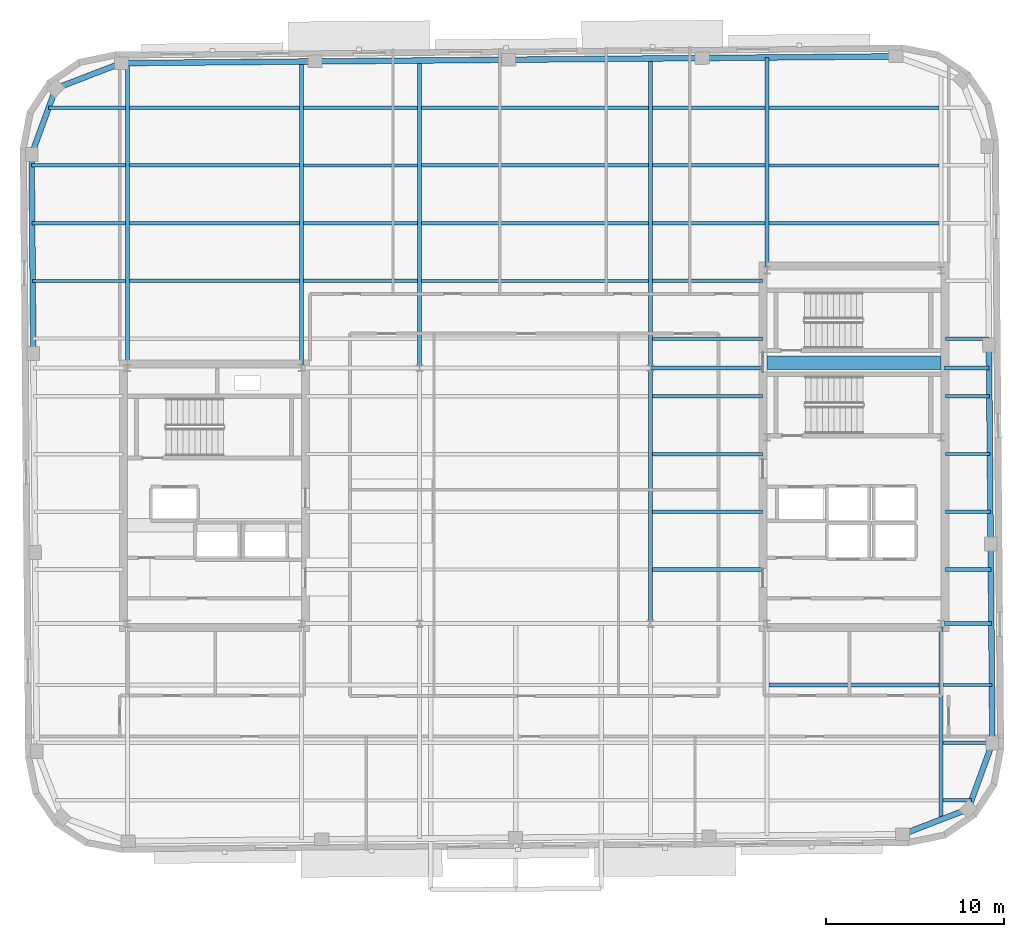
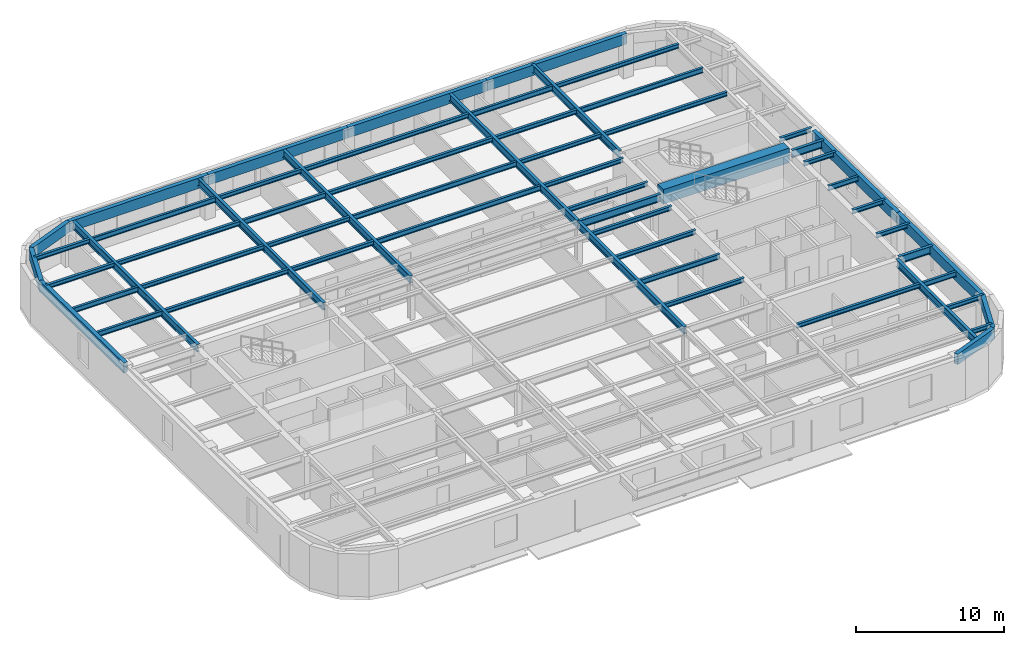
# One storey, part 5 of 14: 59 beams.
"""IFC4 building model written with IfcOpenShell, lengths in metres."""

from ifc_helpers import new_model, si_unit, direction, frame, origin, origin_2d, place, context, subcontext, project, spatial, rectangle, hollow_rectangle, i_section, extrude, material, material_profile, profile_set, type_object, element, save


model = new_model("IFC4")

# Units and contexts
model_context = context("Model", 3, precision=1e-05, world=origin(), true_north=direction((0.0, 1.0)))
body_context = subcontext(model_context, "Body", "Model", "MODEL_VIEW")
ifc_project = project(units=[si_unit("LENGTHUNIT", "METRE"), si_unit("AREAUNIT", "SQUARE_METRE"), si_unit("VOLUMEUNIT", "CUBIC_METRE"), si_unit("PLANEANGLEUNIT", "RADIAN"), si_unit("MASSUNIT", "GRAM", prefix="KILO")], contexts=[model_context])

# Site, building, storey
site_placement = place(None, origin())
site = spatial("IfcSite", under=ifc_project, at=site_placement, CompositionType="ELEMENT")
building_placement = place(site_placement, origin())
building = spatial("IfcBuilding", under=site, at=building_placement, Name="Kolvaren Arena Tower", CompositionType="ELEMENT")
storey_placement = place(building_placement, frame((0.0, 0.0, 308.64990234375)))
storey = spatial("IfcBuildingStorey", under=building, at=storey_placement, Name="L76", CompositionType="ELEMENT", Elevation=308.64990234375)

# Beams
ifc_material_1 = material(Name="Steel CSA G40.21 350W", Category="steel")
ifc_material_profile_1 = material_profile(ifc_material_1, i_section(OverallWidth=0.180908203125, OverallDepth=0.4169921875, WebThickness=0.010986328125, FlangeThickness=0.018310546875, FilletRadius=0.011962890625, at=origin_2d()), Name="W410x85")
ifc_profile_set_1 = profile_set([ifc_material_profile_1], Name="Steel CSA G40.21 350W")
beam_type_1 = type_object("IfcBeamType", Name="BEAM-F3", PredefinedType="BEAM", material=ifc_profile_set_1)
beam_1_placement = place(storey_placement, frame((60.464111328125, 16.0, 3.301513671875), z_axis=(1.0, 0.0, 0.0), x_axis=(0.0, 1.0, 0.0)))
element("IfcBeam", 1, at=beam_1_placement, inside=storey, type_object=beam_type_1, Name="Composite Floor Beam (L76)", PredefinedType="BEAM", context=body_context, shape_type="SweptSolid", body=[
    extrude(i_section(OverallWidth=0.180908203125, OverallDepth=0.4169921875, WebThickness=0.010986328125, FlangeThickness=0.018310546875, FilletRadius=0.011962890625, at=origin_2d()), origin(), (0.0, 0.0, 1.0), 2.7529296875),
])
beam_2_placement = place(storey_placement, frame((44.114013671875, 25.75, 3.301513671875), z_axis=(1.0, 0.0, 0.0), x_axis=(0.0, 1.0, 0.0)))
element("IfcBeam", 2, at=beam_2_placement, inside=storey, type_object=beam_type_1, Name="Composite Floor Beam (L76)", PredefinedType="BEAM", context=body_context, shape_type="SweptSolid", body=[
    extrude(i_section(OverallWidth=0.180908203125, OverallDepth=0.4169921875, WebThickness=0.010986328125, FlangeThickness=0.018310546875, FilletRadius=0.011962890625, at=origin_2d()), origin(), (0.0, 0.0, 1.0), 6.19091796875),
])
beam_3_placement = place(storey_placement, frame((60.594970703125, 29.0, 3.301513671875), z_axis=(1.0, 0.0, 0.0), x_axis=(0.0, 1.0, 0.0)))
element("IfcBeam", 3, at=beam_3_placement, inside=storey, type_object=beam_type_1, Name="Composite Floor Beam (L76)", PredefinedType="BEAM", context=body_context, shape_type="SweptSolid", body=[
    extrude(i_section(OverallWidth=0.180908203125, OverallDepth=0.4169921875, WebThickness=0.010986328125, FlangeThickness=0.018310546875, FilletRadius=0.011962890625, at=origin_2d()), origin(), (0.0, 0.0, 1.0), 2.508544921875),
])
beam_4_placement = place(storey_placement, frame((9.216552734375, 38.75, 3.301513671875), z_axis=(1.0, 0.0, 0.0), x_axis=(0.0, 1.0, 0.0)))
element("IfcBeam", 4, at=beam_4_placement, inside=storey, type_object=beam_type_1, Name="Composite Floor Beam (L76)", PredefinedType="BEAM", context=body_context, shape_type="SweptSolid", body=[
    extrude(i_section(OverallWidth=0.180908203125, OverallDepth=0.4169921875, WebThickness=0.010986328125, FlangeThickness=0.018310546875, FilletRadius=0.011962890625, at=origin_2d()), origin(), (0.0, 0.0, 1.0), 5.219482421875),
])
beam_5_placement = place(storey_placement, frame((31.114013671875, 38.75, 3.301513671875), z_axis=(1.0, 0.0, 0.0), x_axis=(0.0, 1.0, 0.0)))
element("IfcBeam", 5, at=beam_5_placement, inside=storey, type_object=beam_type_1, Name="Composite Floor Beam (L76)", PredefinedType="BEAM", context=body_context, shape_type="SweptSolid", body=[
    extrude(i_section(OverallWidth=0.180908203125, OverallDepth=0.4169921875, WebThickness=0.010986328125, FlangeThickness=0.018310546875, FilletRadius=0.011962890625, at=origin_2d()), origin(), (0.0, 0.0, 1.0), 12.77197265625),
])
beam_6_placement = place(storey_placement, frame((9.18798828125, 42.0, 3.301513671875), z_axis=(1.0, 0.0, 0.0), x_axis=(0.0, 1.0, 0.0)))
element("IfcBeam", 6, at=beam_6_placement, inside=storey, type_object=beam_type_1, Name="Composite Floor Beam (L76)", PredefinedType="BEAM", context=body_context, shape_type="SweptSolid", body=[
    extrude(i_section(OverallWidth=0.180908203125, OverallDepth=0.4169921875, WebThickness=0.010986328125, FlangeThickness=0.018310546875, FilletRadius=0.011962890625, at=origin_2d()), origin(), (0.0, 0.0, 1.0), 5.248046875),
])
beam_7_placement = place(storey_placement, frame((31.114013671875, 42.0, 3.301513671875), z_axis=(1.0, 0.0, 0.0), x_axis=(0.0, 1.0, 0.0)))
element("IfcBeam", 7, at=beam_7_placement, inside=storey, type_object=beam_type_1, Name="Composite Floor Beam (L76)", PredefinedType="BEAM", context=body_context, shape_type="SweptSolid", body=[
    extrude(i_section(OverallWidth=0.180908203125, OverallDepth=0.4169921875, WebThickness=0.010986328125, FlangeThickness=0.018310546875, FilletRadius=0.011962890625, at=origin_2d()), origin(), (0.0, 0.0, 1.0), 12.77197265625),
])
beam_8_placement = place(storey_placement, frame((24.464111328125, 45.25, 3.301513671875), z_axis=(1.0, 0.0, 0.0), x_axis=(0.0, 1.0, 0.0)))
element("IfcBeam", 8, at=beam_8_placement, inside=storey, type_object=beam_type_1, Name="Composite Floor Beam (L76)", PredefinedType="BEAM", context=body_context, shape_type="SweptSolid", body=[
    extrude(i_section(OverallWidth=0.180908203125, OverallDepth=0.4169921875, WebThickness=0.010986328125, FlangeThickness=0.018310546875, FilletRadius=0.011962890625, at=origin_2d()), origin(), (0.0, 0.0, 1.0), 6.421875),
])
for number, where, z_axis, x_axis, name in (
    (9, (50.6640625, 45.25, 3.301513671875), (1.0, 0.0, 0.0), (0.0, 1.0, 0.0), "Composite Floor Beam (L76)"),
    (10, (14.6640625, 48.5, 3.301513671875), (1.0, 0.0, 0.0), (0.0, 1.0, 0.0), "Composite Floor Beam (L76)"),
):
    element("IfcBeam", number, at=place(storey_placement, frame(where, z_axis=z_axis, x_axis=x_axis)), inside=storey, type_object=beam_type_1, Name=name, PredefinedType="BEAM", context=body_context, shape_type="SweptSolid", body=[
        extrude(i_section(OverallWidth=0.180908203125, OverallDepth=0.4169921875, WebThickness=0.010986328125, FlangeThickness=0.018310546875, FilletRadius=0.011962890625, at=origin_2d()), origin(), (0.0, 0.0, 1.0), 9.572021484375),
    ])
beam_9_placement = place(storey_placement, frame((44.114013671875, 48.5, 3.301513671875), z_axis=(1.0, 0.0, 0.0), x_axis=(0.0, 1.0, 0.0)))
element("IfcBeam", 11, at=beam_9_placement, inside=storey, type_object=beam_type_1, Name="Composite Floor Beam (L76)", PredefinedType="BEAM", context=body_context, shape_type="SweptSolid", body=[
    extrude(i_section(OverallWidth=0.180908203125, OverallDepth=0.4169921875, WebThickness=0.010986328125, FlangeThickness=0.018310546875, FilletRadius=0.011962890625, at=origin_2d()), origin(), (0.0, 0.0, 1.0), 6.322021484375),
])
ifc_material_2 = material(Name="Concrete 60 MPa", Category="concrete")
ifc_material_profile_2 = material_profile(ifc_material_2, rectangle(XDim=0.75, YDim=1.199951171875, at=origin_2d()), Name="RC-750x1200")
ifc_profile_set_2 = profile_set([ifc_material_profile_2], Name="Concrete 60 MPa")
beam_type_2 = type_object("IfcBeamType", Name="CB-CORE-2", PredefinedType="BEAM", material=ifc_profile_set_2)
beam_10_placement = place(storey_placement, frame((50.550048828125, 34.14990234375, 3.18017578125), z_axis=(1.0, 0.0, 0.0), x_axis=(0.0, 1.0, 0.0)))
element("IfcBeam", 12, at=beam_10_placement, inside=storey, type_object=beam_type_2, Name="East Core Coupling Beam (L76)", PredefinedType="BEAM", context=body_context, shape_type="SweptSolid", body=[
    extrude(rectangle(XDim=0.75, YDim=1.199951171875, at=origin_2d()), origin(), (0.0, 0.0, 1.0), 9.800048828125),
])
ifc_material_profile_3 = material_profile(ifc_material_1, i_section(OverallWidth=0.22802734375, OverallDepth=0.615966796875, WebThickness=0.013916015625, FlangeThickness=0.02490234375, FilletRadius=0.014892578125, at=origin_2d()), Name="W610x174")
ifc_profile_set_3 = profile_set([ifc_material_profile_3], Name="Steel CSA G40.21 350W")
beam_type_3 = type_object("IfcBeamType", Name="GIRD-T3", PredefinedType="BEAM", material=ifc_profile_set_3)
beam_11_placement = place(storey_placement, frame((60.554931640625, 19.449951171875, 3.2021484375), z_axis=(1.0, 0.0, 0.0), x_axis=(0.0, 1.0, 0.0)))
element("IfcBeam", 13, at=beam_11_placement, inside=storey, type_object=beam_type_3, Name="Primary Floor Girder (L76)", PredefinedType="BEAM", context=body_context, shape_type="SweptSolid", body=[
    extrude(i_section(OverallWidth=0.22802734375, OverallDepth=0.615966796875, WebThickness=0.013916015625, FlangeThickness=0.02490234375, FilletRadius=0.014892578125, at=origin_2d()), origin(), (0.0, 0.0, 1.0), 2.632080078125),
])
beam_12_placement = place(storey_placement, frame((44.0, 33.85009765625, 3.2021484375), z_axis=(1.0, 0.0, 0.0), x_axis=(0.0, 1.0, 0.0)))
element("IfcBeam", 14, at=beam_12_placement, inside=storey, type_object=beam_type_3, Name="Primary Floor Girder (L76)", PredefinedType="BEAM", context=body_context, shape_type="SweptSolid", body=[
    extrude(i_section(OverallWidth=0.22802734375, OverallDepth=0.615966796875, WebThickness=0.013916015625, FlangeThickness=0.02490234375, FilletRadius=0.014892578125, at=origin_2d()), origin(), (0.0, 0.0, 1.0), 6.344970703125),
])
beam_13_placement = place(storey_placement, frame((60.554931640625, 33.85009765625, 3.2021484375), z_axis=(1.0, 0.0, 0.0), x_axis=(0.0, 1.0, 0.0)))
element("IfcBeam", 15, at=beam_13_placement, inside=storey, type_object=beam_type_3, Name="Primary Floor Girder (L76)", PredefinedType="BEAM", context=body_context, shape_type="SweptSolid", body=[
    extrude(i_section(OverallWidth=0.22802734375, OverallDepth=0.615966796875, WebThickness=0.013916015625, FlangeThickness=0.02490234375, FilletRadius=0.014892578125, at=origin_2d()), origin(), (0.0, 0.0, 1.0), 2.50634765625),
])
beam_14_placement = place(storey_placement, frame((14.550048828125, 34.054931640625, 3.2021484375), z_axis=(0.0, 1.0, 0.0), x_axis=(-1.0, 0.0, 0.0)))
element("IfcBeam", 16, at=beam_14_placement, inside=storey, type_object=beam_type_3, Name="Primary Floor Girder (L76)", PredefinedType="BEAM", context=body_context, shape_type="SweptSolid", body=[
    extrude(i_section(OverallWidth=0.22802734375, OverallDepth=0.615966796875, WebThickness=0.013916015625, FlangeThickness=0.02490234375, FilletRadius=0.014892578125, at=origin_2d()), origin(), (0.0, 0.0, 1.0), 16.95703125),
])
beam_15_placement = place(storey_placement, frame((24.35009765625, 34.054931640625, 3.2021484375), z_axis=(0.0, 1.0, 0.0), x_axis=(-1.0, 0.0, 0.0)))
element("IfcBeam", 17, at=beam_15_placement, inside=storey, type_object=beam_type_3, Name="Primary Floor Girder (L76)", PredefinedType="BEAM", context=body_context, shape_type="SweptSolid", body=[
    extrude(i_section(OverallWidth=0.22802734375, OverallDepth=0.615966796875, WebThickness=0.013916015625, FlangeThickness=0.02490234375, FilletRadius=0.014892578125, at=origin_2d()), origin(), (0.0, 0.0, 1.0), 17.04248046875),
])
beam_16_placement = place(storey_placement, frame((31.0, 33.85009765625, 3.2021484375), z_axis=(0.0, 1.0, 0.0), x_axis=(-1.0, 0.0, 0.0)))
element("IfcBeam", 18, at=beam_16_placement, inside=storey, type_object=beam_type_3, Name="Primary Floor Girder (L76)", PredefinedType="BEAM", context=body_context, shape_type="SweptSolid", body=[
    extrude(i_section(OverallWidth=0.22802734375, OverallDepth=0.615966796875, WebThickness=0.013916015625, FlangeThickness=0.02490234375, FilletRadius=0.014892578125, at=origin_2d()), origin(), (0.0, 0.0, 1.0), 17.305419921875),
])
beam_17_placement = place(storey_placement, frame((44.0, 19.449951171875, 3.2021484375), z_axis=(0.0, 1.0, 0.0), x_axis=(-1.0, 0.0, 0.0)))
element("IfcBeam", 19, at=beam_17_placement, inside=storey, type_object=beam_type_3, Name="Primary Floor Girder (L76)", PredefinedType="BEAM", context=body_context, shape_type="SweptSolid", body=[
    extrude(i_section(OverallWidth=0.22802734375, OverallDepth=0.615966796875, WebThickness=0.013916015625, FlangeThickness=0.02490234375, FilletRadius=0.014892578125, at=origin_2d()), origin(), (0.0, 0.0, 1.0), 14.400146484375),
])
beam_18_placement = place(storey_placement, frame((44.0, 33.85009765625, 3.2021484375), z_axis=(0.0, 1.0, 0.0), x_axis=(-1.0, 0.0, 0.0)))
element("IfcBeam", 20, at=beam_18_placement, inside=storey, type_object=beam_type_3, Name="Primary Floor Girder (L76)", PredefinedType="BEAM", context=body_context, shape_type="SweptSolid", body=[
    extrude(i_section(OverallWidth=0.22802734375, OverallDepth=0.615966796875, WebThickness=0.013916015625, FlangeThickness=0.02490234375, FilletRadius=0.014892578125, at=origin_2d()), origin(), (0.0, 0.0, 1.0), 17.418701171875),
])
beam_19_placement = place(storey_placement, frame((50.550048828125, 39.554931640625, 3.2021484375), z_axis=(0.0, 1.0, 0.0), x_axis=(-1.0, 0.0, 0.0)))
element("IfcBeam", 21, at=beam_19_placement, inside=storey, type_object=beam_type_3, Name="Primary Floor Girder (L76)", PredefinedType="BEAM", context=body_context, shape_type="SweptSolid", body=[
    extrude(i_section(OverallWidth=0.22802734375, OverallDepth=0.615966796875, WebThickness=0.013916015625, FlangeThickness=0.02490234375, FilletRadius=0.014892578125, at=origin_2d()), origin(), (0.0, 0.0, 1.0), 11.771240234375),
])
beam_20_placement = place(storey_placement, frame((60.35009765625, 8.4228515625, 3.2021484375), z_axis=(0.0, 1.0, 0.0), x_axis=(-1.0, 0.0, 0.0)))
element("IfcBeam", 22, at=beam_20_placement, inside=storey, type_object=beam_type_3, Name="Primary Floor Girder (L76)", PredefinedType="BEAM", context=body_context, shape_type="SweptSolid", body=[
    extrude(i_section(OverallWidth=0.22802734375, OverallDepth=0.615966796875, WebThickness=0.013916015625, FlangeThickness=0.02490234375, FilletRadius=0.014892578125, at=origin_2d()), origin(), (0.0, 0.0, 1.0), 10.822265625),
])
ifc_material_profile_4 = material_profile(ifc_material_1, i_section(OverallWidth=0.202880859375, OverallDepth=0.346923828125, WebThickness=0.0078125, FlangeThickness=0.013427734375, FilletRadius=0.010986328125, at=origin_2d()), Name="W360x64")
ifc_profile_set_4 = profile_set([ifc_material_profile_4], Name="Steel CSA G40.21 350W")
beam_type_4 = type_object("IfcBeamType", Name="JOIST-01", PredefinedType="JOIST", material=ifc_profile_set_4)
beam_21_placement = place(storey_placement, frame((60.464111328125, 9.5, 3.336669921875), z_axis=(1.0, 0.0, 0.0), x_axis=(0.0, 1.0, 0.0)))
element("IfcBeam", 23, at=beam_21_placement, inside=storey, type_object=beam_type_4, Name="Composite Floor Joist (L76)", PredefinedType="JOIST", context=body_context, shape_type="SweptSolid", body=[
    extrude(i_section(OverallWidth=0.202880859375, OverallDepth=0.346923828125, WebThickness=0.0078125, FlangeThickness=0.013427734375, FilletRadius=0.010986328125, at=origin_2d()), origin(), (0.0, 0.0, 1.0), 1.60009765625),
])
beam_22_placement = place(storey_placement, frame((60.464111328125, 12.75, 3.336669921875), z_axis=(1.0, 0.0, 0.0), x_axis=(0.0, 1.0, 0.0)))
element("IfcBeam", 24, at=beam_22_placement, inside=storey, type_object=beam_type_4, Name="Composite Floor Joist (L76)", PredefinedType="JOIST", context=body_context, shape_type="SweptSolid", body=[
    extrude(i_section(OverallWidth=0.202880859375, OverallDepth=0.346923828125, WebThickness=0.0078125, FlangeThickness=0.013427734375, FilletRadius=0.010986328125, at=origin_2d()), origin(), (0.0, 0.0, 1.0), 2.781494140625),
])
beam_23_placement = place(storey_placement, frame((50.6640625, 16.0, 3.336669921875), z_axis=(1.0, 0.0, 0.0), x_axis=(0.0, 1.0, 0.0)))
element("IfcBeam", 25, at=beam_23_placement, inside=storey, type_object=beam_type_4, Name="Composite Floor Joist (L76)", PredefinedType="JOIST", context=body_context, shape_type="SweptSolid", body=[
    extrude(i_section(OverallWidth=0.202880859375, OverallDepth=0.346923828125, WebThickness=0.0078125, FlangeThickness=0.013427734375, FilletRadius=0.010986328125, at=origin_2d()), origin(), (0.0, 0.0, 1.0), 9.572021484375),
])
beam_24_placement = place(storey_placement, frame((44.114013671875, 22.5, 3.336669921875), z_axis=(1.0, 0.0, 0.0), x_axis=(0.0, 1.0, 0.0)))
element("IfcBeam", 26, at=beam_24_placement, inside=storey, type_object=beam_type_4, Name="Composite Floor Joist (L76)", PredefinedType="JOIST", context=body_context, shape_type="SweptSolid", body=[
    extrude(i_section(OverallWidth=0.202880859375, OverallDepth=0.346923828125, WebThickness=0.0078125, FlangeThickness=0.013427734375, FilletRadius=0.010986328125, at=origin_2d()), origin(), (0.0, 0.0, 1.0), 6.19091796875),
])
beam_25_placement = place(storey_placement, frame((60.594970703125, 22.5, 3.336669921875), z_axis=(1.0, 0.0, 0.0), x_axis=(0.0, 1.0, 0.0)))
element("IfcBeam", 27, at=beam_25_placement, inside=storey, type_object=beam_type_4, Name="Composite Floor Joist (L76)", PredefinedType="JOIST", context=body_context, shape_type="SweptSolid", body=[
    extrude(i_section(OverallWidth=0.202880859375, OverallDepth=0.346923828125, WebThickness=0.0078125, FlangeThickness=0.013427734375, FilletRadius=0.010986328125, at=origin_2d()), origin(), (0.0, 0.0, 1.0), 2.5654296875),
])
beam_26_placement = place(storey_placement, frame((60.594970703125, 25.75, 3.336669921875), z_axis=(1.0, 0.0, 0.0), x_axis=(0.0, 1.0, 0.0)))
element("IfcBeam", 28, at=beam_26_placement, inside=storey, type_object=beam_type_4, Name="Composite Floor Joist (L76)", PredefinedType="JOIST", context=body_context, shape_type="SweptSolid", body=[
    extrude(i_section(OverallWidth=0.202880859375, OverallDepth=0.346923828125, WebThickness=0.0078125, FlangeThickness=0.013427734375, FilletRadius=0.010986328125, at=origin_2d()), origin(), (0.0, 0.0, 1.0), 2.537109375),
])
for number, where, z_axis, x_axis, name in (
    (29, (44.114013671875, 29.0, 3.336669921875), (1.0, 0.0, 0.0), (0.0, 1.0, 0.0), "Composite Floor Joist (L76)"),
    (30, (44.114013671875, 32.25, 3.336669921875), (1.0, 0.0, 0.0), (0.0, 1.0, 0.0), "Composite Floor Joist (L76)"),
):
    element("IfcBeam", number, at=place(storey_placement, frame(where, z_axis=z_axis, x_axis=x_axis)), inside=storey, type_object=beam_type_4, Name=name, PredefinedType="JOIST", context=body_context, shape_type="SweptSolid", body=[
        extrude(i_section(OverallWidth=0.202880859375, OverallDepth=0.346923828125, WebThickness=0.0078125, FlangeThickness=0.013427734375, FilletRadius=0.010986328125, at=origin_2d()), origin(), (0.0, 0.0, 1.0), 6.19091796875),
    ])
beam_27_placement = place(storey_placement, frame((60.594970703125, 32.25, 3.336669921875), z_axis=(1.0, 0.0, 0.0), x_axis=(0.0, 1.0, 0.0)))
element("IfcBeam", 31, at=beam_27_placement, inside=storey, type_object=beam_type_4, Name="Composite Floor Joist (L76)", PredefinedType="JOIST", context=body_context, shape_type="SweptSolid", body=[
    extrude(i_section(OverallWidth=0.202880859375, OverallDepth=0.346923828125, WebThickness=0.0078125, FlangeThickness=0.013427734375, FilletRadius=0.010986328125, at=origin_2d()), origin(), (0.0, 0.0, 1.0), 2.480224609375),
])
beam_28_placement = place(storey_placement, frame((44.114013671875, 35.5, 3.336669921875), z_axis=(1.0, 0.0, 0.0), x_axis=(0.0, 1.0, 0.0)))
element("IfcBeam", 32, at=beam_28_placement, inside=storey, type_object=beam_type_4, Name="Composite Floor Joist (L76)", PredefinedType="JOIST", context=body_context, shape_type="SweptSolid", body=[
    extrude(i_section(OverallWidth=0.202880859375, OverallDepth=0.346923828125, WebThickness=0.0078125, FlangeThickness=0.013427734375, FilletRadius=0.010986328125, at=origin_2d()), origin(), (0.0, 0.0, 1.0), 6.19091796875),
])
beam_29_placement = place(storey_placement, frame((60.594970703125, 35.5, 3.336669921875), z_axis=(1.0, 0.0, 0.0), x_axis=(0.0, 1.0, 0.0)))
element("IfcBeam", 33, at=beam_29_placement, inside=storey, type_object=beam_type_4, Name="Composite Floor Joist (L76)", PredefinedType="JOIST", context=body_context, shape_type="SweptSolid", body=[
    extrude(i_section(OverallWidth=0.202880859375, OverallDepth=0.346923828125, WebThickness=0.0078125, FlangeThickness=0.013427734375, FilletRadius=0.010986328125, at=origin_2d()), origin(), (0.0, 0.0, 1.0), 2.451904296875),
])
beam_30_placement = place(storey_placement, frame((14.6640625, 38.75, 3.336669921875), z_axis=(1.0, 0.0, 0.0), x_axis=(0.0, 1.0, 0.0)))
element("IfcBeam", 34, at=beam_30_placement, inside=storey, type_object=beam_type_4, Name="Composite Floor Joist (L76)", PredefinedType="JOIST", context=body_context, shape_type="SweptSolid", body=[
    extrude(i_section(OverallWidth=0.202880859375, OverallDepth=0.346923828125, WebThickness=0.0078125, FlangeThickness=0.013427734375, FilletRadius=0.010986328125, at=origin_2d()), origin(), (0.0, 0.0, 1.0), 9.572021484375),
])
beam_31_placement = place(storey_placement, frame((24.464111328125, 38.75, 3.336669921875), z_axis=(1.0, 0.0, 0.0), x_axis=(0.0, 1.0, 0.0)))
element("IfcBeam", 35, at=beam_31_placement, inside=storey, type_object=beam_type_4, Name="Composite Floor Joist (L76)", PredefinedType="JOIST", context=body_context, shape_type="SweptSolid", body=[
    extrude(i_section(OverallWidth=0.202880859375, OverallDepth=0.346923828125, WebThickness=0.0078125, FlangeThickness=0.013427734375, FilletRadius=0.010986328125, at=origin_2d()), origin(), (0.0, 0.0, 1.0), 6.421875),
])
beam_32_placement = place(storey_placement, frame((44.114013671875, 38.75, 3.336669921875), z_axis=(1.0, 0.0, 0.0), x_axis=(0.0, 1.0, 0.0)))
element("IfcBeam", 36, at=beam_32_placement, inside=storey, type_object=beam_type_4, Name="Composite Floor Joist (L76)", PredefinedType="JOIST", context=body_context, shape_type="SweptSolid", body=[
    extrude(i_section(OverallWidth=0.202880859375, OverallDepth=0.346923828125, WebThickness=0.0078125, FlangeThickness=0.013427734375, FilletRadius=0.010986328125, at=origin_2d()), origin(), (0.0, 0.0, 1.0), 6.19091796875),
])
beam_33_placement = place(storey_placement, frame((14.6640625, 42.0, 3.336669921875), z_axis=(1.0, 0.0, 0.0), x_axis=(0.0, 1.0, 0.0)))
element("IfcBeam", 37, at=beam_33_placement, inside=storey, type_object=beam_type_4, Name="Composite Floor Joist (L76)", PredefinedType="JOIST", context=body_context, shape_type="SweptSolid", body=[
    extrude(i_section(OverallWidth=0.202880859375, OverallDepth=0.346923828125, WebThickness=0.0078125, FlangeThickness=0.013427734375, FilletRadius=0.010986328125, at=origin_2d()), origin(), (0.0, 0.0, 1.0), 9.572021484375),
])
beam_34_placement = place(storey_placement, frame((24.464111328125, 42.0, 3.336669921875), z_axis=(1.0, 0.0, 0.0), x_axis=(0.0, 1.0, 0.0)))
element("IfcBeam", 38, at=beam_34_placement, inside=storey, type_object=beam_type_4, Name="Composite Floor Joist (L76)", PredefinedType="JOIST", context=body_context, shape_type="SweptSolid", body=[
    extrude(i_section(OverallWidth=0.202880859375, OverallDepth=0.346923828125, WebThickness=0.0078125, FlangeThickness=0.013427734375, FilletRadius=0.010986328125, at=origin_2d()), origin(), (0.0, 0.0, 1.0), 6.421875),
])
beam_35_placement = place(storey_placement, frame((44.114013671875, 42.0, 3.336669921875), z_axis=(1.0, 0.0, 0.0), x_axis=(0.0, 1.0, 0.0)))
element("IfcBeam", 39, at=beam_35_placement, inside=storey, type_object=beam_type_4, Name="Composite Floor Joist (L76)", PredefinedType="JOIST", context=body_context, shape_type="SweptSolid", body=[
    extrude(i_section(OverallWidth=0.202880859375, OverallDepth=0.346923828125, WebThickness=0.0078125, FlangeThickness=0.013427734375, FilletRadius=0.010986328125, at=origin_2d()), origin(), (0.0, 0.0, 1.0), 6.322021484375),
])
beam_36_placement = place(storey_placement, frame((50.6640625, 42.0, 3.336669921875), z_axis=(1.0, 0.0, 0.0), x_axis=(0.0, 1.0, 0.0)))
element("IfcBeam", 40, at=beam_36_placement, inside=storey, type_object=beam_type_4, Name="Composite Floor Joist (L76)", PredefinedType="JOIST", context=body_context, shape_type="SweptSolid", body=[
    extrude(i_section(OverallWidth=0.202880859375, OverallDepth=0.346923828125, WebThickness=0.0078125, FlangeThickness=0.013427734375, FilletRadius=0.010986328125, at=origin_2d()), origin(), (0.0, 0.0, 1.0), 9.572021484375),
])
beam_37_placement = place(storey_placement, frame((9.159912109375, 45.25, 3.336669921875), z_axis=(1.0, 0.0, 0.0), x_axis=(0.0, 1.0, 0.0)))
element("IfcBeam", 41, at=beam_37_placement, inside=storey, type_object=beam_type_4, Name="Composite Floor Joist (L76)", PredefinedType="JOIST", context=body_context, shape_type="SweptSolid", body=[
    extrude(i_section(OverallWidth=0.202880859375, OverallDepth=0.346923828125, WebThickness=0.0078125, FlangeThickness=0.013427734375, FilletRadius=0.010986328125, at=origin_2d()), origin(), (0.0, 0.0, 1.0), 5.276123046875),
])
beam_38_placement = place(storey_placement, frame((14.6640625, 45.25, 3.336669921875), z_axis=(1.0, 0.0, 0.0), x_axis=(0.0, 1.0, 0.0)))
element("IfcBeam", 42, at=beam_38_placement, inside=storey, type_object=beam_type_4, Name="Composite Floor Joist (L76)", PredefinedType="JOIST", context=body_context, shape_type="SweptSolid", body=[
    extrude(i_section(OverallWidth=0.202880859375, OverallDepth=0.346923828125, WebThickness=0.0078125, FlangeThickness=0.013427734375, FilletRadius=0.010986328125, at=origin_2d()), origin(), (0.0, 0.0, 1.0), 9.572021484375),
])
beam_39_placement = place(storey_placement, frame((31.114013671875, 45.25, 3.336669921875), z_axis=(1.0, 0.0, 0.0), x_axis=(0.0, 1.0, 0.0)))
element("IfcBeam", 43, at=beam_39_placement, inside=storey, type_object=beam_type_4, Name="Composite Floor Joist (L76)", PredefinedType="JOIST", context=body_context, shape_type="SweptSolid", body=[
    extrude(i_section(OverallWidth=0.202880859375, OverallDepth=0.346923828125, WebThickness=0.0078125, FlangeThickness=0.013427734375, FilletRadius=0.010986328125, at=origin_2d()), origin(), (0.0, 0.0, 1.0), 12.77197265625),
])
beam_40_placement = place(storey_placement, frame((44.114013671875, 45.25, 3.336669921875), z_axis=(1.0, 0.0, 0.0), x_axis=(0.0, 1.0, 0.0)))
element("IfcBeam", 44, at=beam_40_placement, inside=storey, type_object=beam_type_4, Name="Composite Floor Joist (L76)", PredefinedType="JOIST", context=body_context, shape_type="SweptSolid", body=[
    extrude(i_section(OverallWidth=0.202880859375, OverallDepth=0.346923828125, WebThickness=0.0078125, FlangeThickness=0.013427734375, FilletRadius=0.010986328125, at=origin_2d()), origin(), (0.0, 0.0, 1.0), 6.322021484375),
])
beam_41_placement = place(storey_placement, frame((10.11669921875, 48.5, 3.336669921875), z_axis=(1.0, 0.0, 0.0), x_axis=(0.0, 1.0, 0.0)))
element("IfcBeam", 45, at=beam_41_placement, inside=storey, type_object=beam_type_4, Name="Composite Floor Joist (L76)", PredefinedType="JOIST", context=body_context, shape_type="SweptSolid", body=[
    extrude(i_section(OverallWidth=0.202880859375, OverallDepth=0.346923828125, WebThickness=0.0078125, FlangeThickness=0.013427734375, FilletRadius=0.010986328125, at=origin_2d()), origin(), (0.0, 0.0, 1.0), 4.3193359375),
])
beam_42_placement = place(storey_placement, frame((24.464111328125, 48.5, 3.336669921875), z_axis=(1.0, 0.0, 0.0), x_axis=(0.0, 1.0, 0.0)))
element("IfcBeam", 46, at=beam_42_placement, inside=storey, type_object=beam_type_4, Name="Composite Floor Joist (L76)", PredefinedType="JOIST", context=body_context, shape_type="SweptSolid", body=[
    extrude(i_section(OverallWidth=0.202880859375, OverallDepth=0.346923828125, WebThickness=0.0078125, FlangeThickness=0.013427734375, FilletRadius=0.010986328125, at=origin_2d()), origin(), (0.0, 0.0, 1.0), 6.421875),
])
beam_43_placement = place(storey_placement, frame((31.114013671875, 48.5, 3.336669921875), z_axis=(1.0, 0.0, 0.0), x_axis=(0.0, 1.0, 0.0)))
element("IfcBeam", 47, at=beam_43_placement, inside=storey, type_object=beam_type_4, Name="Composite Floor Joist (L76)", PredefinedType="JOIST", context=body_context, shape_type="SweptSolid", body=[
    extrude(i_section(OverallWidth=0.202880859375, OverallDepth=0.346923828125, WebThickness=0.0078125, FlangeThickness=0.013427734375, FilletRadius=0.010986328125, at=origin_2d()), origin(), (0.0, 0.0, 1.0), 12.77197265625),
])
beam_44_placement = place(storey_placement, frame((50.6640625, 48.5, 3.336669921875), z_axis=(1.0, 0.0, 0.0), x_axis=(0.0, 1.0, 0.0)))
element("IfcBeam", 48, at=beam_44_placement, inside=storey, type_object=beam_type_4, Name="Composite Floor Joist (L76)", PredefinedType="JOIST", context=body_context, shape_type="SweptSolid", body=[
    extrude(i_section(OverallWidth=0.202880859375, OverallDepth=0.346923828125, WebThickness=0.0078125, FlangeThickness=0.013427734375, FilletRadius=0.010986328125, at=origin_2d()), origin(), (0.0, 0.0, 1.0), 9.572021484375),
])
ifc_material_3 = material(Name="Steel CSA G40.21 350WT", Category="steel")
ifc_material_profile_5 = material_profile(ifc_material_3, hollow_rectangle(XDim=0.320068359375, YDim=0.860107421875, WallThickness=0.01806640625, at=origin_2d()), Name="HSS 860x320x18")
ifc_profile_set_5 = profile_set([ifc_material_profile_5], Name="Steel CSA G40.21 350WT")
beam_type_5 = type_object("IfcBeamType", Name="SPAND-02", PredefinedType="SPANDREL", material=ifc_profile_set_5)
for number, where, z_axis, x_axis, name in (
    (49, (58.190185546875, 7.591064453125, 3.080078125), (0.933189846698, 0.359383792094, 0.0), (-0.359383792094, 0.933189846698, 0.0), "Perimeter Spandrel Beam (L76)"),
    (50, (61.88671875, 9.0146484375, 3.080078125), (0.343059102458, 0.939313819882, 0.0), (-0.939313819882, 0.343059102458, 0.0), "Perimeter Spandrel Beam (L76)"),
):
    element("IfcBeam", number, at=place(storey_placement, frame(where, z_axis=z_axis, x_axis=x_axis)), inside=storey, type_object=beam_type_5, Name=name, PredefinedType="SPANDREL", context=body_context, shape_type="SweptSolid", body=[
        extrude(hollow_rectangle(XDim=0.320068359375, YDim=0.860107421875, WallThickness=0.01806640625, at=origin_2d()), origin(), (0.0, 0.0, 1.0), 3.961181640625),
    ])
beam_45_placement = place(storey_placement, frame((63.24560546875, 12.7353515625, 3.080078125), z_axis=(-0.008741001013, 0.999961796721, 0.0), x_axis=(-0.999961796721, -0.008741001013, 0.0)))
element("IfcBeam", 51, at=beam_45_placement, inside=storey, type_object=beam_type_5, Name="Perimeter Spandrel Beam (L76)", PredefinedType="SPANDREL", context=body_context, shape_type="SweptSolid", body=[
    extrude(hollow_rectangle(XDim=0.320068359375, YDim=0.860107421875, WallThickness=0.01806640625, at=origin_2d()), origin(), (0.0, 0.0, 1.0), 11.2001953125),
])
beam_46_placement = place(storey_placement, frame((63.147705078125, 23.93505859375, 3.080078125), z_axis=(-0.008719394723, 0.999961985355, 0.0), x_axis=(-0.999961985355, -0.008719394723, 0.0)))
element("IfcBeam", 52, at=beam_46_placement, inside=storey, type_object=beam_type_5, Name="Perimeter Spandrel Beam (L76)", PredefinedType="SPANDREL", context=body_context, shape_type="SweptSolid", body=[
    extrude(hollow_rectangle(XDim=0.320068359375, YDim=0.860107421875, WallThickness=0.01806640625, at=origin_2d()), origin(), (0.0, 0.0, 1.0), 11.199951171875),
])
for number, where, z_axis, x_axis, name in (
    (53, (57.80810546875, 51.389404296875, 3.080078125), (-0.999961846999, -0.008735247404, 0.0), (0.008735247404, -0.999961846999, 0.0), "Perimeter Spandrel Beam (L76)"),
    (54, (46.908447265625, 51.294189453125, 3.080078125), (-0.999962042393, -0.008712851036, 0.0), (0.008712851036, -0.999962042393, 0.0), "Perimeter Spandrel Beam (L76)"),
):
    element("IfcBeam", number, at=place(storey_placement, frame(where, z_axis=z_axis, x_axis=x_axis)), inside=storey, type_object=beam_type_5, Name=name, PredefinedType="SPANDREL", context=body_context, shape_type="SweptSolid", body=[
        extrude(hollow_rectangle(XDim=0.320068359375, YDim=0.860107421875, WallThickness=0.01806640625, at=origin_2d()), origin(), (0.0, 0.0, 1.0), 10.900146484375),
    ])
beam_47_placement = place(storey_placement, frame((36.0087890625, 51.19921875, 3.080078125), z_axis=(-0.999961845289, -0.008735443053, 0.0), x_axis=(0.008735443053, -0.999961845289, 0.0)))
element("IfcBeam", 55, at=beam_47_placement, inside=storey, type_object=beam_type_5, Name="Perimeter Spandrel Beam (L76)", PredefinedType="SPANDREL", context=body_context, shape_type="SweptSolid", body=[
    extrude(hollow_rectangle(XDim=0.320068359375, YDim=0.860107421875, WallThickness=0.01806640625, at=origin_2d()), origin(), (0.0, 0.0, 1.0), 10.89990234375),
])
beam_48_placement = place(storey_placement, frame((25.109375, 51.10400390625, 3.080078125), z_axis=(-0.999961846999, -0.008735247404, 0.0), x_axis=(0.008735247404, -0.999961846999, 0.0)))
element("IfcBeam", 56, at=beam_48_placement, inside=storey, type_object=beam_type_5, Name="Perimeter Spandrel Beam (L76)", PredefinedType="SPANDREL", context=body_context, shape_type="SweptSolid", body=[
    extrude(hollow_rectangle(XDim=0.320068359375, YDim=0.860107421875, WallThickness=0.01806640625, at=origin_2d()), origin(), (0.0, 0.0, 1.0), 10.900146484375),
])
beam_49_placement = place(storey_placement, frame((14.209716796875, 51.0087890625, 3.080078125), z_axis=(-0.933210515777, -0.359330117362, 0.0), x_axis=(0.359330117362, -0.933210515777, 0.0)))
element("IfcBeam", 57, at=beam_49_placement, inside=storey, type_object=beam_type_5, Name="Perimeter Spandrel Beam (L76)", PredefinedType="SPANDREL", context=body_context, shape_type="SweptSolid", body=[
    extrude(hollow_rectangle(XDim=0.320068359375, YDim=0.860107421875, WallThickness=0.01806640625, at=origin_2d()), origin(), (0.0, 0.0, 1.0), 3.961181640625),
])
beam_50_placement = place(storey_placement, frame((10.51318359375, 49.58544921875, 3.080078125), z_axis=(-0.343039242335, -0.939321073019, 0.0), x_axis=(0.939321073019, -0.343039242335, 0.0)))
element("IfcBeam", 58, at=beam_50_placement, inside=storey, type_object=beam_type_5, Name="Perimeter Spandrel Beam (L76)", PredefinedType="SPANDREL", context=body_context, shape_type="SweptSolid", body=[
    extrude(hollow_rectangle(XDim=0.320068359375, YDim=0.860107421875, WallThickness=0.01806640625, at=origin_2d()), origin(), (0.0, 0.0, 1.0), 3.96142578125),
])
beam_51_placement = place(storey_placement, frame((9.154296875, 45.864501953125, 3.080078125), z_axis=(0.008741191547, -0.999961795055, 0.0), x_axis=(0.999961795055, 0.008741191547, 0.0)))
element("IfcBeam", 59, at=beam_51_placement, inside=storey, type_object=beam_type_5, Name="Perimeter Spandrel Beam (L76)", PredefinedType="SPANDREL", context=body_context, shape_type="SweptSolid", body=[
    extrude(hollow_rectangle(XDim=0.320068359375, YDim=0.860107421875, WallThickness=0.01806640625, at=origin_2d()), origin(), (0.0, 0.0, 1.0), 11.199951171875),
])

save(model, "model.ifc")
